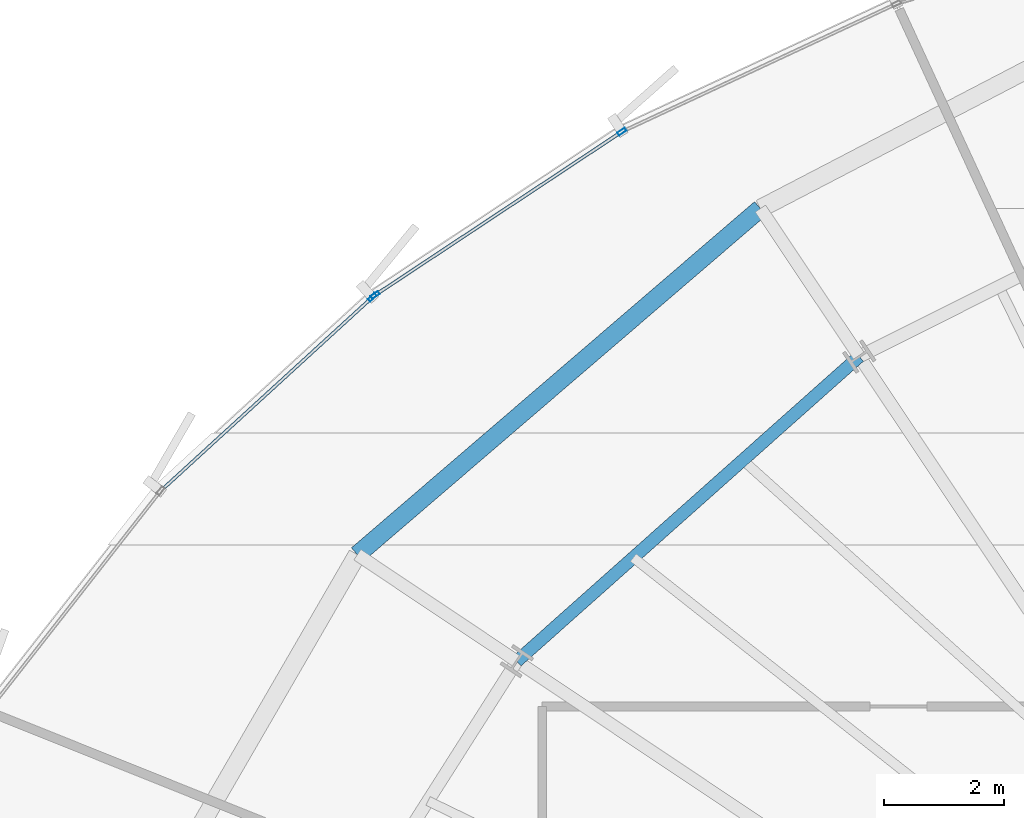
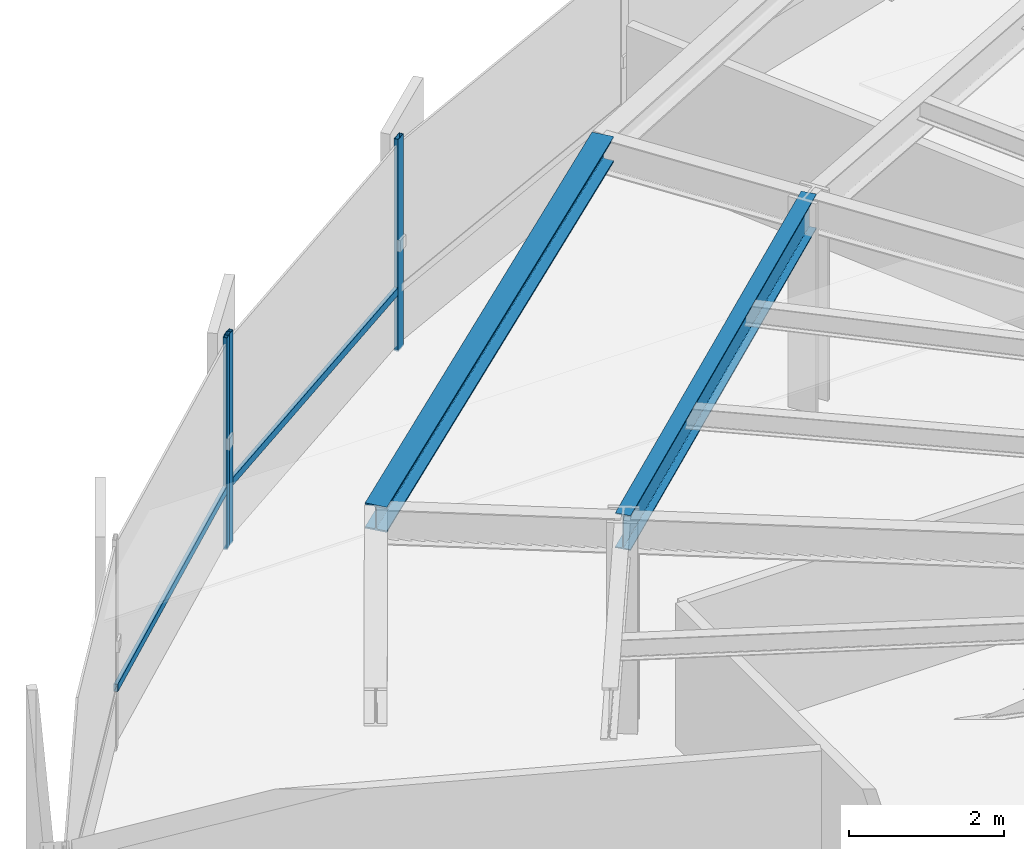
# One storey, part 18 of 35: 5 members, 2 beams, 2 elements without a shape of their own.
"""IFC4 building model written with IfcOpenShell, lengths in metres."""

from ifc_helpers import new_model, si_unit, direction, frame, origin, origin_2d, place, context, subcontext, project, spatial, hollow_rectangle, i_section, extrude, source, transform, mapped, material, layer, layer_set, material_profile, profile_set, type_object, element, aggregate, save


model = new_model("IFC4")

# Units and contexts
model_context = context("Model", 3, precision=1e-05, world=origin(), true_north=direction((0.0, 1.0)))
body_context = subcontext(model_context, "Body", "Model", "MODEL_VIEW")
ifc_project = project(units=[si_unit("LENGTHUNIT", "METRE"), si_unit("AREAUNIT", "SQUARE_METRE"), si_unit("VOLUMEUNIT", "CUBIC_METRE"), si_unit("PLANEANGLEUNIT", "RADIAN"), si_unit("MASSUNIT", "GRAM", prefix="KILO"), si_unit("THERMODYNAMICTEMPERATUREUNIT", "KELVIN")], contexts=[model_context])

# Site, building, storey
site_placement = place(None, origin())
site = spatial("IfcSite", under=ifc_project, at=site_placement, CompositionType="ELEMENT")
building_placement = place(site_placement, origin())
building = spatial("IfcBuilding", under=site, at=building_placement, Name="Kethvar Cultural Tower", CompositionType="ELEMENT")
storey_placement = place(building_placement, frame((0.0, 0.0, 85.60009765625)))
storey = spatial("IfcBuildingStorey", under=building, at=storey_placement, Name="L20", CompositionType="ELEMENT", Elevation=85.60009765625)

# Beams
ifc_material_1 = material(Name="Steel S355J2", Category="steel")
ifc_material_profile_1 = material_profile(ifc_material_1, i_section(OverallWidth=0.2099609375, OverallDepth=0.550048828125, WebThickness=0.010986328125, FlangeThickness=0.01708984375, FilletRadius=0.02392578125, at=origin_2d()), Name="Steel S355J2 — IPE550")
ifc_profile_set_1 = profile_set([ifc_material_profile_1], Name="Steel S355J2 — IPE550")
beam_type_1 = type_object("IfcBeamType", Name="BM-IPE550", PredefinedType="BEAM", material=ifc_profile_set_1)
shared_shape_1 = source(origin(), body_context, "Body", "SweptSolid", [
    extrude(i_section(OverallWidth=0.2099609375, OverallDepth=0.550048828125, WebThickness=0.010986328125, FlangeThickness=0.01708984375, FilletRadius=0.02392578125, at=origin_2d()), origin(), (0.0, 0.0, 1.0), 7.64599609375),
])
beam_1_placement = place(storey_placement, frame((36.0576171875, 43.877197265625, 3.072998046875), z_axis=(-0.747021617367, -0.66479974668, 0.0), x_axis=(0.66479974668, -0.747021617367, 0.0)))
element("IfcBeam", 1, at=beam_1_placement, inside=storey, type_object=beam_type_1, Name="L20 Column Ring Tie Beam CR-06", PredefinedType="BEAM", context=body_context, shape_type="MappedRepresentation", body=[
    mapped(shared_shape_1, transform((0.0, 0.0, 0.0), scale=1.0)),
])
ifc_material_profile_2 = material_profile(ifc_material_1, i_section(OverallWidth=0.300048828125, OverallDepth=0.39990234375, WebThickness=0.013427734375, FlangeThickness=0.02392578125, FilletRadius=0.027099609375, at=origin_2d()), Name="Steel S355J2 — HEB400")
ifc_profile_set_2 = profile_set([ifc_material_profile_2], Name="Steel S355J2 — HEB400")
beam_type_2 = type_object("IfcBeamType", Name="BM-SP400", PredefinedType="SPANDREL", material=ifc_profile_set_2)
shared_shape_2 = source(origin(), body_context, "Body", "SweptSolid", [
    extrude(i_section(OverallWidth=0.300048828125, OverallDepth=0.39990234375, WebThickness=0.013427734375, FlangeThickness=0.02392578125, FilletRadius=0.027099609375, at=origin_2d()), origin(), (0.0, 0.0, 1.0), 8.86181640625),
])
beam_2_placement = place(storey_placement, frame((34.408203125, 46.345703125, 3.14794921875), z_axis=(-0.758632012645, -0.651519354579, 0.0), x_axis=(0.651519354579, -0.758632012645, 0.0)))
element("IfcBeam", 2, at=beam_2_placement, inside=storey, type_object=beam_type_2, Name="L20 Perimeter Spandrel Beam SP-06", PredefinedType="SPANDREL", context=body_context, shape_type="MappedRepresentation", body=[
    mapped(shared_shape_2, transform((0.0, 0.0, 0.0), scale=1.0)),
])

# Curtain wall, members
ifc_material_2 = material(Name="Aluminium 6063-T6", Category="aluminium")
ifc_layer = layer(ifc_material_2, 0.179931640625, Name="Aluminium 6063-T6", Category="aluminium")
ifc_layer_set = layer_set([ifc_layer], Name="Aluminium 6063-T6 (180 mm)")
curtain_wall_type = type_object("IfcCurtainWallType", Name="CW-SYS-03-Z2", PredefinedType="NOTDEFINED", material=ifc_layer_set)
curtain_wall_1_placement = place(storey_placement, origin())
curtain_wall_1 = element("IfcCurtainWall", 3, at=curtain_wall_1_placement, inside=storey, type_object=curtain_wall_type, Name="L20 Curtain Wall Run 02", PredefinedType="NOTDEFINED")
ifc_material_profile_3 = material_profile(ifc_material_2, hollow_rectangle(XDim=0.06005859375, YDim=0.14990234375, WallThickness=0.0048828125, at=origin_2d()), Name="Aluminium 6063-T6 — RHS150x60x5")
ifc_profile_set_3 = profile_set([ifc_material_profile_3], Name="Aluminium 6063-T6 — RHS150x60x5")
member_type_1 = type_object("IfcMemberType", Name="CW-SYS-03-Z2-MUL", PredefinedType="MULLION", material=ifc_profile_set_3)
shared_shape_3 = source(origin(), body_context, "Body", "SweptSolid", [
    extrude(hollow_rectangle(XDim=0.06005859375, YDim=0.14990234375, WallThickness=0.0048828125, at=origin_2d()), origin(), (0.0, 0.0, 1.0), 3.349853515625),
])
member_1_placement = place(storey_placement, frame((32.0986328125, 47.628173828125, 0.0), z_axis=(0.0, 0.0, 1.0), x_axis=(0.552242583349, -0.83368347059, 0.0)))
member_1 = element("IfcMember", 4, at=member_1_placement, type_object=member_type_1, Name="CW-L20-R02 Mullion 6", PredefinedType="MULLION", context=body_context, shape_type="MappedRepresentation", body=[
    mapped(shared_shape_3, transform((0.0, 0.0, 0.0), scale=1.0)),
])
member_2_placement = place(storey_placement, frame((27.982666015625, 44.901611328125, 0.0), z_axis=(0.0, 0.0, 1.0), x_axis=(0.552242583349, -0.83368347059, 0.0)))
member_2 = element("IfcMember", 5, at=member_2_placement, type_object=member_type_1, Name="CW-L20-R02 Mullion 7", PredefinedType="MULLION", context=body_context, shape_type="MappedRepresentation", body=[
    mapped(shared_shape_3, transform((0.0, 0.0, 0.0), scale=1.0)),
])

# Curtain wall, member
curtain_wall_2_placement = place(storey_placement, origin())
curtain_wall_2 = element("IfcCurtainWall", 6, at=curtain_wall_2_placement, inside=storey, type_object=curtain_wall_type, Name="L20 Curtain Wall Run 03", PredefinedType="NOTDEFINED")
member_3_placement = place(storey_placement, frame((27.935546875, 44.86474609375, 0.0), z_axis=(0.0, 0.0, 1.0), x_axis=(0.675036696977, -0.737784153893, 0.0)))
member_3 = element("IfcMember", 7, at=member_3_placement, type_object=member_type_1, Name="CW-L20-R03 Mullion 1", PredefinedType="MULLION", context=body_context, shape_type="MappedRepresentation", body=[
    mapped(shared_shape_3, transform((0.0, 0.0, 0.0), scale=1.0)),
])

# Member
ifc_material_profile_4 = material_profile(ifc_material_2, hollow_rectangle(XDim=0.054931640625, YDim=0.1201171875, WallThickness=0.00390625, at=origin_2d()), Name="Aluminium 6063-T6 — RHS120x55x4")
ifc_profile_set_4 = profile_set([ifc_material_profile_4], Name="Aluminium 6063-T6 — RHS120x55x4")
member_type_2 = type_object("IfcMemberType", Name="CW-SYS-03-Z2-TRN", PredefinedType="USERDEFINED", material=ifc_profile_set_4)
shared_shape_4 = source(origin(), body_context, "Body", "SweptSolid", [
    extrude(hollow_rectangle(XDim=0.054931640625, YDim=0.1201171875, WallThickness=0.00390625, at=origin_2d()), origin(), (0.0, 0.0, 1.0), 4.8896484375),
])
member_4_placement = place(storey_placement, frame((32.0625, 47.604248046875, 0.949951171875), z_axis=(-0.833690508163, -0.552231959052, 0.0), x_axis=(0.552231959052, -0.833690508163, 0.0)))
member_4 = element("IfcMember", 8, at=member_4_placement, type_object=member_type_2, Name="CW-L20-R02 Transom 6", ObjectType="TRANSOM", PredefinedType="USERDEFINED", context=body_context, shape_type="MappedRepresentation", body=[
    mapped(shared_shape_4, transform((0.0, 0.0, 0.0), scale=1.0)),
])

aggregate(curtain_wall_1, [member_1, member_2, member_4])

shared_shape_5 = source(origin(), body_context, "Body", "SweptSolid", [
    extrude(hollow_rectangle(XDim=0.054931640625, YDim=0.1201171875, WallThickness=0.00390625, at=origin_2d()), origin(), (0.0, 0.0, 1.0), 4.7578125),
])
member_5_placement = place(storey_placement, frame((27.932373046875, 44.862060546875, 0.949951171875), z_axis=(-0.737788555917, -0.675031885734, 0.0), x_axis=(0.675031885734, -0.737788555917, 0.0)))
member_5 = element("IfcMember", 9, at=member_5_placement, type_object=member_type_2, Name="CW-L20-R03 Transom 1", ObjectType="TRANSOM", PredefinedType="USERDEFINED", context=body_context, shape_type="MappedRepresentation", body=[
    mapped(shared_shape_5, transform((0.0, 0.0, 0.0), scale=1.0)),
])

aggregate(curtain_wall_2, [member_3, member_5])

save(model, "model.ifc")
